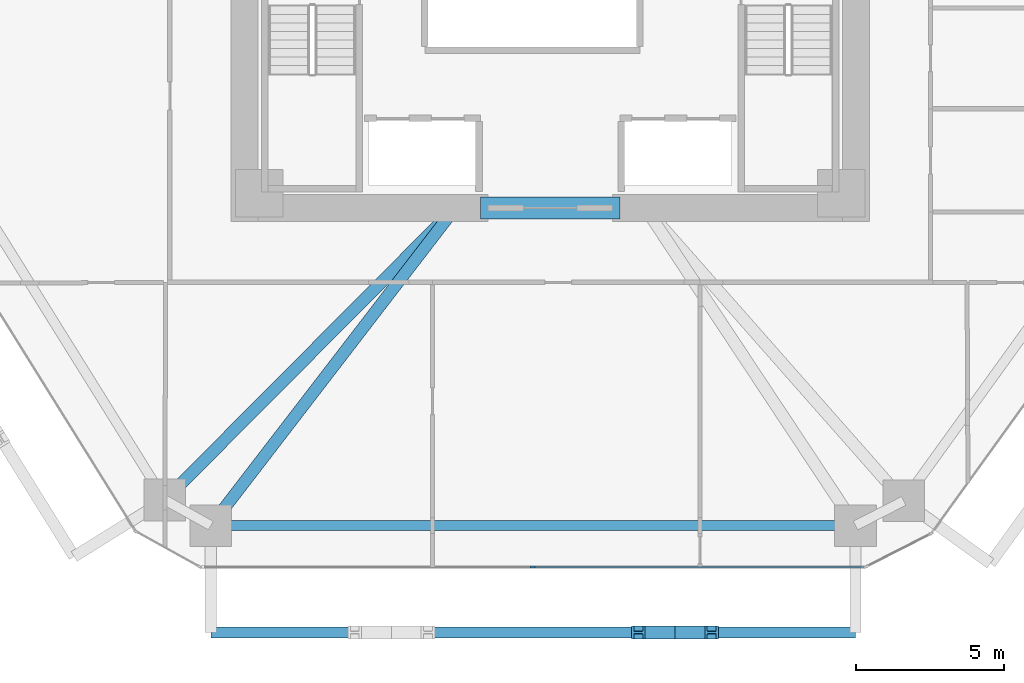
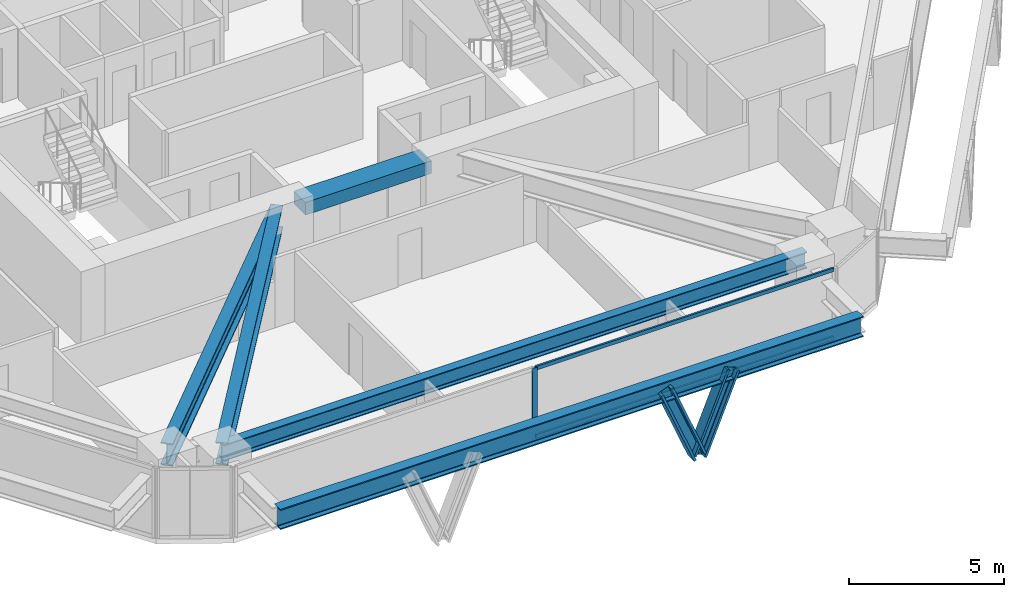
# One storey, part 3 of 15: 5 beams, 5 members, 1 element without a shape of its own.
"""IFC4 building model written with IfcOpenShell, lengths in metres."""

import ifcopenshell
import ifcopenshell.guid

model = None  # the IFC model being written
_history = None  # IfcOwnerHistory: only IFC2X3 demands one
_inside = {}  # id of a spatial element -> (the spatial element, [elements in it])
_under = {}  # id of a project, library or spatial element -> (it, [spatial elements below it])
_declared = {}  # id of a project -> (the project, [libraries it declares])
_typed = {}  # id of a type object -> (the type object, [elements of that type])
_made_of = {}  # id of a material, layer set ... -> (it, [elements and type objects made of it])


def new_model(schema):
    """Start an empty IFC model of exactly this schema.

    Asked for "IFC4X3", IfcOpenShell would pick the latest addendum, in which some entities
    have other attributes; the version numbers below select the first issue.
    IFC2X3 requires an IfcOwnerHistory on every rooted entity: one is made here for all.
    """
    global model, _history
    if schema == "IFC4X3":
        model = ifcopenshell.file(schema_version=(4, 3, 0, 0))
    else:
        model = ifcopenshell.file(schema=schema)
    _inside.clear()
    _under.clear()
    _declared.clear()
    _typed.clear()
    _made_of.clear()
    _history = None
    if model.schema == "IFC2X3":
        org = make("IfcOrganization", Name="unknown")
        user = make(
            "IfcPersonAndOrganization",
            ThePerson=make("IfcPerson", FamilyName="unknown"),
            TheOrganization=org,
        )
        app = make(
            "IfcApplication",
            ApplicationDeveloper=org,
            Version="unknown",
            ApplicationFullName="unknown",
            ApplicationIdentifier="unknown",
        )
        _history = make(
            "IfcOwnerHistory",
            OwningUser=user,
            OwningApplication=app,
            ChangeAction="ADDED",
            CreationDate=0,
        )
    return model


def make(cls, **values):
    """One entity of the class cls with the attributes given. An attribute that is None is left unset."""
    return model.create_entity(
        cls, **{name: value for name, value in values.items() if value is not None}
    )


def rooted(cls, **values):
    """An entity with a GlobalId (a new one), such as an element, a storey or a relation."""
    return make(cls, GlobalId=ifcopenshell.guid.new(), OwnerHistory=_history, **values)


def si_unit(unit_type, name, prefix=None):
    """IfcSIUnit, for example si_unit("LENGTHUNIT", "METRE", prefix="MILLI")."""
    return make("IfcSIUnit", UnitType=unit_type, Prefix=prefix, Name=name)


def assignment(units):
    """IfcUnitAssignment: the units of a project."""
    return None if units is None else make("IfcUnitAssignment", Units=units)


def point(xyz):
    """IfcCartesianPoint."""
    return None if xyz is None else make("IfcCartesianPoint", Coordinates=xyz)


def direction(xyz):
    """IfcDirection."""
    return None if xyz is None else make("IfcDirection", DirectionRatios=xyz)


def frame(location, z_axis=None, x_axis=None):
    """IfcAxis2Placement3D, a coordinate frame: its origin and axes. An axis left out is left unset."""
    return make(
        "IfcAxis2Placement3D",
        Location=point(location),
        Axis=direction(z_axis),
        RefDirection=direction(x_axis),
    )


def frame_2d(location, x_axis=None):
    """IfcAxis2Placement2D, a coordinate frame in the plane: its origin and x axis."""
    return make(
        "IfcAxis2Placement2D", Location=point(location), RefDirection=direction(x_axis)
    )


def origin():
    """The frame at (0, 0, 0) with its axes left unset."""
    return frame((0.0, 0.0, 0.0))


def origin_2d():
    """The frame at (0, 0) in the plane with its x axis left unset."""
    return frame_2d((0.0, 0.0))


def place(relative_to, where):
    """IfcLocalPlacement: puts the frame where relative to a parent placement (None: the world)."""
    return make(
        "IfcLocalPlacement", PlacementRelTo=relative_to, RelativePlacement=where
    )


def context(
    kind, dimensions, precision=None, world=None, true_north=None, identifier=None
):
    """IfcGeometricRepresentationContext, for example the 3D "Model" context."""
    return make(
        "IfcGeometricRepresentationContext",
        ContextIdentifier=identifier,
        ContextType=kind,
        CoordinateSpaceDimension=dimensions,
        Precision=precision,
        WorldCoordinateSystem=world,
        TrueNorth=true_north,
    )


def subcontext(parent, identifier, kind, view, scale=None):
    """IfcGeometricRepresentationSubContext, for example "Body" below "Model"."""
    return make(
        "IfcGeometricRepresentationSubContext",
        ContextIdentifier=identifier,
        ContextType=kind,
        ParentContext=parent,
        TargetScale=scale,
        TargetView=view,
    )


def project(units=None, contexts=None):
    """IfcProject with its units and contexts."""
    return rooted(
        "IfcProject",
        Name="project",
        RepresentationContexts=contexts,
        UnitsInContext=assignment(units),
    )


def spatial(cls, under=None, at=None, **own):
    """A site, building, storey or space (cls), placed at a placement, below another one or the project."""
    s = rooted(cls, ObjectPlacement=at, **own)
    if under is not None:
        _under.setdefault(under.id(), (under, []))[1].append(s)
    return s


def profile(cls, at=None, kind="AREA", **sizes):
    """A parametric profile (cls). Its sizes go by their IFC names, for example OverallWidth=200.0."""
    return make(cls, ProfileType=kind, Position=at, **sizes)


def rectangle(**sizes):
    """IfcRectangleProfileDef."""
    return profile("IfcRectangleProfileDef", **sizes)


def i_section(**sizes):
    """IfcIShapeProfileDef."""
    return profile("IfcIShapeProfileDef", **sizes)


def extrude(swept, where, along, depth):
    """IfcExtrudedAreaSolid: the profile swept, set in the frame where, extruded along a direction by depth."""
    return make(
        "IfcExtrudedAreaSolid",
        SweptArea=swept,
        Position=where,
        ExtrudedDirection=direction(along),
        Depth=depth,
    )


def shape(context_of_items, identifier, shape_type, items):
    """IfcShapeRepresentation: the items that make up one representation, for example the "Body"."""
    return make(
        "IfcShapeRepresentation",
        ContextOfItems=context_of_items,
        RepresentationIdentifier=identifier,
        RepresentationType=shape_type,
        Items=items,
    )


def source(mapping_origin, context_of_items, identifier, shape_type, items):
    """IfcRepresentationMap: a shape defined once, which mapped items show again and again."""
    return make(
        "IfcRepresentationMap",
        MappingOrigin=mapping_origin,
        MappedRepresentation=shape(context_of_items, identifier, shape_type, items),
    )


def transform(
    local_origin,
    x_axis=None,
    y_axis=None,
    z_axis=None,
    scale=None,
    scale2=None,
    scale3=None,
    uniform=True,
):
    """IfcCartesianTransformationOperator3D, or its non-uniform kind. x_axis, y_axis, z_axis: its Axis1, 2, 3."""
    if uniform:
        return make(
            "IfcCartesianTransformationOperator3D",
            Axis1=direction(x_axis),
            Axis2=direction(y_axis),
            LocalOrigin=point(local_origin),
            Scale=scale,
            Axis3=direction(z_axis),
        )
    return make(
        "IfcCartesianTransformationOperator3DnonUniform",
        Axis1=direction(x_axis),
        Axis2=direction(y_axis),
        LocalOrigin=point(local_origin),
        Scale=scale,
        Axis3=direction(z_axis),
        Scale2=scale2,
        Scale3=scale3,
    )


def mapped(mapping_source, mapping_target):
    """IfcMappedItem: shows the shape of a source again, moved by a transform."""
    return make(
        "IfcMappedItem", MappingSource=mapping_source, MappingTarget=mapping_target
    )


def material(Name=None, Category=None):
    """IfcMaterial."""
    return make("IfcMaterial", Name=Name, Category=Category)


def layer(
    of_material, thickness, ventilated=None, Name=None, Category=None, Priority=None
):
    """IfcMaterialLayer: one layer of a wall or slab, of a material (None: an air gap)."""
    return make(
        "IfcMaterialLayer",
        Material=of_material,
        LayerThickness=thickness,
        IsVentilated=ventilated,
        Name=Name,
        Category=Category,
        Priority=Priority,
    )


def layer_set(layers, Name=None):
    """IfcMaterialLayerSet."""
    return make("IfcMaterialLayerSet", MaterialLayers=layers, LayerSetName=Name)


def material_profile(
    of_material, cross_section, Name=None, Category=None, Priority=None
):
    """IfcMaterialProfile: a cross section and its material."""
    return make(
        "IfcMaterialProfile",
        Name=Name,
        Material=of_material,
        Profile=cross_section,
        Priority=Priority,
        Category=Category,
    )


def profile_set(profiles, Name=None, composite=None):
    """IfcMaterialProfileSet."""
    return make(
        "IfcMaterialProfileSet",
        Name=Name,
        MaterialProfiles=profiles,
        CompositeProfile=composite,
    )


def made_of(thing, what):
    """Note that an element or type object is made of a material, layer set ...; save() writes the relation."""
    if what is not None:
        _made_of.setdefault(what.id(), (what, []))[1].append(thing)
    return thing


def type_object(cls, material=None, **own):
    """A type object (cls), such as IfcWallType, which elements share."""
    return made_of(rooted(cls, **own), material)


def type_shapes(of_type, sources):
    """Give a type object the sources (RepresentationMaps) that its elements show as mapped items."""
    of_type.RepresentationMaps = sources


def element(
    cls,
    number,
    at=None,
    inside=None,
    cuts=None,
    type_object=None,
    material=None,
    context=None,
    identifier="Body",
    shape_type=None,
    held_by="IfcProductDefinitionShape",
    body=None,
    shapes=None,
    **own,
):
    """One element of the class cls, such as IfcWall. Its Tag is "e" and its number.

    at: its placement. inside: the storey or other place that contains it. cuts: it is an
    opening in that element (IfcRelVoidsElement). A single representation is given by context,
    identifier, shape_type and body (its items); several are given by shapes. held_by: the class
    of the entity that holds the representations. save() writes the other relations.
    """
    e = rooted(cls, Tag="e%d" % number, ObjectPlacement=at, **own)
    if body is not None:
        shapes = [shape(context, identifier, shape_type, body)]
    if shapes is not None:
        e.Representation = make(held_by, Representations=shapes)
    if inside is not None:
        _inside.setdefault(inside.id(), (inside, []))[1].append(e)
    if cuts is not None:
        rooted(
            "IfcRelVoidsElement", RelatingBuildingElement=cuts, RelatedOpeningElement=e
        )
    if type_object is not None:
        _typed.setdefault(type_object.id(), (type_object, []))[1].append(e)
    return made_of(e, material)


def aggregate(whole, parts):
    """IfcRelAggregates: a whole, such as a stair, and the parts it consists of."""
    return rooted("IfcRelAggregates", RelatingObject=whole, RelatedObjects=parts)


def save(model, path):
    """Write the relations noted so far, then the file.

    IfcRelAggregates (storeys below a building ...), IfcRelContainedInSpatialStructure (elements
    in a storey), IfcRelDefinesByType, IfcRelAssociatesMaterial and IfcRelDeclares: one each for
    every whole, place, type object, material and project.
    """
    for whole, parts in _under.values():
        aggregate(whole, parts)
    for where, things in _inside.values():
        rooted(
            "IfcRelContainedInSpatialStructure",
            RelatedElements=things,
            RelatingStructure=where,
        )
    for kind, things in _typed.values():
        rooted("IfcRelDefinesByType", RelatedObjects=things, RelatingType=kind)
    for what, things in _made_of.values():
        rooted("IfcRelAssociatesMaterial", RelatedObjects=things, RelatingMaterial=what)
    for by, libraries in _declared.values():
        rooted("IfcRelDeclares", RelatingContext=by, RelatedDefinitions=libraries)
    model.write(path)


model = new_model("IFC4")

# Units and contexts
model_context = context("Model", 3, precision=1e-05, world=origin(), true_north=direction((0.0, 1.0)))
body_context = subcontext(model_context, "Body", "Model", "MODEL_VIEW")
ifc_project = project(units=[si_unit("LENGTHUNIT", "METRE"), si_unit("AREAUNIT", "SQUARE_METRE"), si_unit("VOLUMEUNIT", "CUBIC_METRE"), si_unit("PLANEANGLEUNIT", "RADIAN"), si_unit("MASSUNIT", "GRAM", prefix="KILO")], contexts=[model_context])

# Site, building, storey
site_placement = place(None, origin())
site = spatial("IfcSite", under=ifc_project, at=site_placement, CompositionType="ELEMENT")
building_placement = place(site_placement, origin())
building = spatial("IfcBuilding", under=site, at=building_placement, Name="Durnholm Broadcast Tower", CompositionType="ELEMENT")
storey_placement = place(building_placement, frame((0.0, 0.0, 81.300048828125)))
storey = spatial("IfcBuildingStorey", under=building, at=storey_placement, Name="L21", CompositionType="ELEMENT", Elevation=81.300048828125)

# Beams
ifc_material_1 = material(Name="Steel ASTM A992 Grade 50", Category="steel")
ifc_material_profile_1 = material_profile(ifc_material_1, i_section(OverallWidth=0.3291015625, OverallDepth=0.635009765625, WebThickness=0.017822265625, FlangeThickness=0.031005859375, FilletRadius=0.02783203125, at=origin_2d()), Name="W24X162")
ifc_profile_set_1 = profile_set([ifc_material_profile_1], Name="Steel ASTM A992 Grade 50")
beam_type_1 = type_object("IfcBeamType", Name="STL-SP-W24X162", PredefinedType="SPANDREL", material=ifc_profile_set_1)
shared_shape_1 = source(origin(), body_context, "Body", "SweptSolid", [
    extrude(i_section(OverallWidth=0.3291015625, OverallDepth=0.635009765625, WebThickness=0.017822265625, FlangeThickness=0.031005859375, FilletRadius=0.02783203125, at=origin_2d()), origin(), (0.0, 0.0, 1.0), 21.7138671875),
])
type_shapes(beam_type_1, [shared_shape_1])
beam_1_placement = place(storey_placement, frame((10.28271484375, -19.0, 2.427490234375), z_axis=(-1.0, 0.0, 0.0), x_axis=(0.0, -1.0, 0.0)))
element("IfcBeam", 1, at=beam_1_placement, inside=storey, type_object=beam_type_1, Name="L21 perimeter spandrel girder 11", PredefinedType="SPANDREL", context=body_context, shape_type="MappedRepresentation", body=[
    mapped(shared_shape_1, transform((0.0, 0.0, 0.0), x_axis=(1.0, 0.0, 0.0), y_axis=(0.0, 1.0, 0.0), z_axis=(0.0, 0.0, 1.0), scale=1.0)),
])
ifc_material_profile_2 = material_profile(ifc_material_1, i_section(OverallWidth=0.404052734375, OverallDepth=0.885009765625, WebThickness=0.0244140625, FlangeThickness=0.0439453125, FilletRadius=0.03564453125, at=origin_2d()), Name="W33X291")
ifc_profile_set_2 = profile_set([ifc_material_profile_2], Name="Steel ASTM A992 Grade 50")
beam_type_2 = type_object("IfcBeamType", Name="STL-GR-W33X291", PredefinedType="USERDEFINED", material=ifc_profile_set_2)
shared_shape_2 = source(origin(), body_context, "Body", "SweptSolid", [
    extrude(i_section(OverallWidth=0.404052734375, OverallDepth=0.885009765625, WebThickness=0.0244140625, FlangeThickness=0.0439453125, FilletRadius=0.03564453125, at=origin_2d()), origin(), (0.0, 0.0, 1.0), 13.874267578125),
])
beam_2_placement = place(storey_placement, frame((-3.199951171875, -8.300048828125, 2.302490234375), z_axis=(-0.705097917174, -0.709109954237, 0.0), x_axis=(0.709109954237, -0.705097917174, 0.0)))
element("IfcBeam", 2, at=beam_2_placement, inside=storey, type_object=beam_type_2, Name="L21 radial primary floor girder 01", ObjectType="GIRDER", PredefinedType="USERDEFINED", context=body_context, shape_type="MappedRepresentation", body=[
    mapped(shared_shape_2, transform((0.0, 0.0, 0.0), x_axis=(1.0, 0.0, 0.0), y_axis=(0.0, 1.0, 0.0), z_axis=(0.0, 0.0, 1.0), scale=1.0)),
])
shared_shape_3 = source(origin(), body_context, "Body", "SweptSolid", [
    extrude(i_section(OverallWidth=0.404052734375, OverallDepth=0.885009765625, WebThickness=0.0244140625, FlangeThickness=0.0439453125, FilletRadius=0.03564453125, at=origin_2d()), origin(), (0.0, 0.0, 1.0), 13.499755859375),
])
type_shapes(beam_type_2, [shared_shape_2, shared_shape_3])
beam_3_placement = place(storey_placement, frame((-3.199951171875, -8.300048828125, 2.302490234375), z_axis=(-0.609732610412, -0.79260718127, 0.0), x_axis=(0.79260718127, -0.609732610412, 0.0)))
element("IfcBeam", 3, at=beam_3_placement, inside=storey, type_object=beam_type_2, Name="L21 radial primary floor girder 12", ObjectType="GIRDER", PredefinedType="USERDEFINED", context=body_context, shape_type="MappedRepresentation", body=[
    mapped(shared_shape_3, transform((0.0, 0.0, 0.0), x_axis=(1.0, 0.0, 0.0), y_axis=(0.0, 1.0, 0.0), z_axis=(0.0, 0.0, 1.0), scale=1.0)),
])
ifc_material_profile_3 = material_profile(ifc_material_1, i_section(OverallWidth=0.385009765625, OverallDepth=0.802978515625, WebThickness=0.023681640625, FlangeThickness=0.0419921875, FilletRadius=0.032958984375, at=origin_2d()), Name="W30X261")
ifc_profile_set_3 = profile_set([ifc_material_profile_3], Name="Steel ASTM A992 Grade 50")
beam_type_3 = type_object("IfcBeamType", Name="BM-EXO-TIE", PredefinedType="USERDEFINED", material=ifc_profile_set_3)
shared_shape_4 = source(origin(), body_context, "Body", "SweptSolid", [
    extrude(i_section(OverallWidth=0.385009765625, OverallDepth=0.802978515625, WebThickness=0.023681640625, FlangeThickness=0.0419921875, FilletRadius=0.032958984375, at=origin_2d()), origin(), (0.0, 0.0, 1.0), 21.7138671875),
])
type_shapes(beam_type_3, [shared_shape_4])
beam_4_placement = place(storey_placement, frame((-11.43115234375, -22.60009765625, 2.008544921875), z_axis=(1.0, 0.0, 0.0), x_axis=(0.0, 1.0, 0.0)))
element("IfcBeam", 4, at=beam_4_placement, inside=storey, type_object=beam_type_3, Name="L21 exoskeleton collector spandrel F1", PredefinedType="SPANDREL", context=body_context, shape_type="MappedRepresentation", body=[
    mapped(shared_shape_4, transform((0.0, 0.0, 0.0), x_axis=(1.0, 0.0, 0.0), y_axis=(0.0, 1.0, 0.0), z_axis=(0.0, 0.0, 1.0), scale=1.0)),
])
ifc_material_2 = material(Name="Concrete C70/85", Category="concrete")
ifc_material_profile_4 = material_profile(ifc_material_2, rectangle(XDim=0.75, YDim=0.5, at=origin_2d()), Name="RC750X500")
ifc_profile_set_4 = profile_set([ifc_material_profile_4], Name="Concrete C70/85")
beam_type_4 = type_object("IfcBeamType", Name="BM-CB-RC500", PredefinedType="LINTEL", material=ifc_profile_set_4)
shared_shape_5 = source(origin(), body_context, "Body", "SweptSolid", [
    extrude(rectangle(XDim=0.75, YDim=0.5, at=origin_2d()), origin(), (0.0, 0.0, 1.0), 4.7001953125),
])
type_shapes(beam_type_4, [shared_shape_5])
beam_5_placement = place(storey_placement, frame((-2.35009765625, -8.300048828125, 2.5048828125), z_axis=(1.0, 0.0, 0.0), x_axis=(0.0, 1.0, 0.0)))
element("IfcBeam", 5, at=beam_5_placement, inside=storey, type_object=beam_type_4, Name="L21 south core coupling lintel beam CB-S", PredefinedType="LINTEL", context=body_context, shape_type="MappedRepresentation", body=[
    mapped(shared_shape_5, transform((0.0, 0.0, 0.0), x_axis=(1.0, 0.0, 0.0), y_axis=(0.0, 1.0, 0.0), z_axis=(0.0, 0.0, 1.0), scale=1.0)),
])

# Members
ifc_material_3 = material(Name="Steel ASTM A913 Grade 65", Category="steel")
ifc_material_profile_5 = material_profile(ifc_material_3, i_section(OverallWidth=0.43212890625, OverallDepth=0.497802734375, WebThickness=0.0556640625, FlangeThickness=0.0888671875, FilletRadius=0.030517578125, at=origin_2d()), Name="W14X500")
ifc_profile_set_5 = profile_set([ifc_material_profile_5], Name="Steel ASTM A913 Grade 65")
member_type_1 = type_object("IfcMemberType", Name="STL-DG-W14X500", PredefinedType="BRACE", material=ifc_profile_set_5)
shared_shape_6 = source(origin(), body_context, "Body", "SweptSolid", [
    extrude(i_section(OverallWidth=0.43212890625, OverallDepth=0.497802734375, WebThickness=0.0556640625, FlangeThickness=0.0888671875, FilletRadius=0.030517578125, at=origin_2d()), origin(), (0.0, 0.0, 1.0), 3.243896484375),
])
type_shapes(member_type_1, [shared_shape_6])
for number, where, z_axis, x_axis, name in (
    (6, (4.202880859375, -22.60009765625, -0.991455078125), (-0.380378804119, 0.0, 0.924830776616), (0.0, -1.0, 0.0), "L21 stand-off diagrid brace F1.D2.1"),
    (7, (4.202880859375, -22.60009765625, -0.991455078125), (0.380378804119, 0.0, 0.924830776616), (0.0, 1.0, 0.0), "L21 stand-off diagrid brace F1.D2.2"),
):
    element("IfcMember", number, at=place(storey_placement, frame(where, z_axis=z_axis, x_axis=x_axis)), inside=storey, type_object=member_type_1, Name=name, PredefinedType="BRACE", context=body_context, shape_type="MappedRepresentation", body=[
        mapped(shared_shape_6, transform((0.0, 0.0, 0.0), x_axis=(1.0, 0.0, 0.0), y_axis=(0.0, 1.0, 0.0), z_axis=(0.0, 0.0, 1.0), scale=1.0)),
    ])

# Curtain wall, members
ifc_material_4 = material(Name="Aluminium and Solar Control IGU", Category="aluminium")
ifc_layer = layer(ifc_material_4, 0.18994140625)
ifc_layer_set = layer_set([ifc_layer], Name="Aluminium and Solar Control IGU")
curtain_wall_type = type_object("IfcCurtainWallType", Name="CW-SYS-3", PredefinedType="NOTDEFINED", material=ifc_layer_set)
curtain_wall_placement = place(storey_placement, origin())
curtain_wall = element("IfcCurtainWall", 8, at=curtain_wall_placement, inside=storey, type_object=curtain_wall_type, Name="L21 curtain wall CW-Z12-VIS CW-L21-F10", PredefinedType="NOTDEFINED")
ifc_material_5 = material(Name="Aluminium 6063-T6", Category="aluminium")
ifc_material_profile_6 = material_profile(ifc_material_5, rectangle(XDim=0.070068359375, YDim=0.14990234375, at=origin_2d()), Name="CWT70X150")
ifc_profile_set_6 = profile_set([ifc_material_profile_6], Name="Aluminium 6063-T6")
member_type_2 = type_object("IfcMemberType", Name="CW-SYS-3-TRN", PredefinedType="USERDEFINED", material=ifc_profile_set_6)
shared_shape_7 = source(origin(), body_context, "Body", "SweptSolid", [
    extrude(rectangle(XDim=0.070068359375, YDim=0.14990234375, at=origin_2d()), origin(), (0.0, 0.0, 1.0), 11.10205078125),
])
type_shapes(member_type_2, [shared_shape_7])
member_1_placement = place(storey_placement, frame((10.55029296875, -20.39990234375, 0.034912109375), z_axis=(-1.0, 0.0, 0.0), x_axis=(0.0, -1.0, 0.0)))
member_1 = element("IfcMember", 9, at=member_1_placement, type_object=member_type_2, Name="CW-Z12-VIS transom 1.1", ObjectType="TRANSOM", PredefinedType="USERDEFINED", context=body_context, shape_type="MappedRepresentation", body=[
    mapped(shared_shape_7, transform((0.0, 0.0, 0.0), x_axis=(1.0, 0.0, 0.0), y_axis=(0.0, 1.0, 0.0), z_axis=(0.0, 0.0, 1.0), scale=1.0)),
])
member_2_placement = place(storey_placement, frame((10.55029296875, -20.39990234375, 2.724853515625), z_axis=(-1.0, 0.0, 0.0), x_axis=(0.0, -1.0, 0.0)))
member_2 = element("IfcMember", 10, at=member_2_placement, type_object=member_type_2, Name="CW-Z12-VIS transom 1.2", ObjectType="TRANSOM", PredefinedType="USERDEFINED", context=body_context, shape_type="MappedRepresentation", body=[
    mapped(shared_shape_7, transform((0.0, 0.0, 0.0), x_axis=(1.0, 0.0, 0.0), y_axis=(0.0, 1.0, 0.0), z_axis=(0.0, 0.0, 1.0), scale=1.0)),
])
ifc_material_profile_7 = material_profile(ifc_material_5, rectangle(XDim=0.070068359375, YDim=0.18994140625, at=origin_2d()), Name="CWM70X190")
ifc_profile_set_7 = profile_set([ifc_material_profile_7], Name="Aluminium 6063-T6")
member_type_3 = type_object("IfcMemberType", Name="CW-SYS-3-MUL", PredefinedType="MULLION", material=ifc_profile_set_7)
shared_shape_8 = source(origin(), body_context, "Body", "SweptSolid", [
    extrude(rectangle(XDim=0.070068359375, YDim=0.18994140625, at=origin_2d()), origin(), (0.0, 0.0, 1.0), 2.760009765625),
])
type_shapes(member_type_3, [shared_shape_8])
member_3_placement = place(storey_placement, frame((-0.5869140625, -20.39990234375, 0.0), z_axis=(0.0, 0.0, 1.0), x_axis=(0.0, -1.0, 0.0)))
member_3 = element("IfcMember", 11, at=member_3_placement, type_object=member_type_3, Name="CW-Z12-VIS mullion 2", PredefinedType="MULLION", context=body_context, shape_type="MappedRepresentation", body=[
    mapped(shared_shape_8, transform((0.0, 0.0, 0.0), x_axis=(1.0, 0.0, 0.0), y_axis=(0.0, 1.0, 0.0), z_axis=(0.0, 0.0, 1.0), scale=1.0)),
])
aggregate(curtain_wall, [member_3, member_1, member_2])

save(model, "model.ifc")
